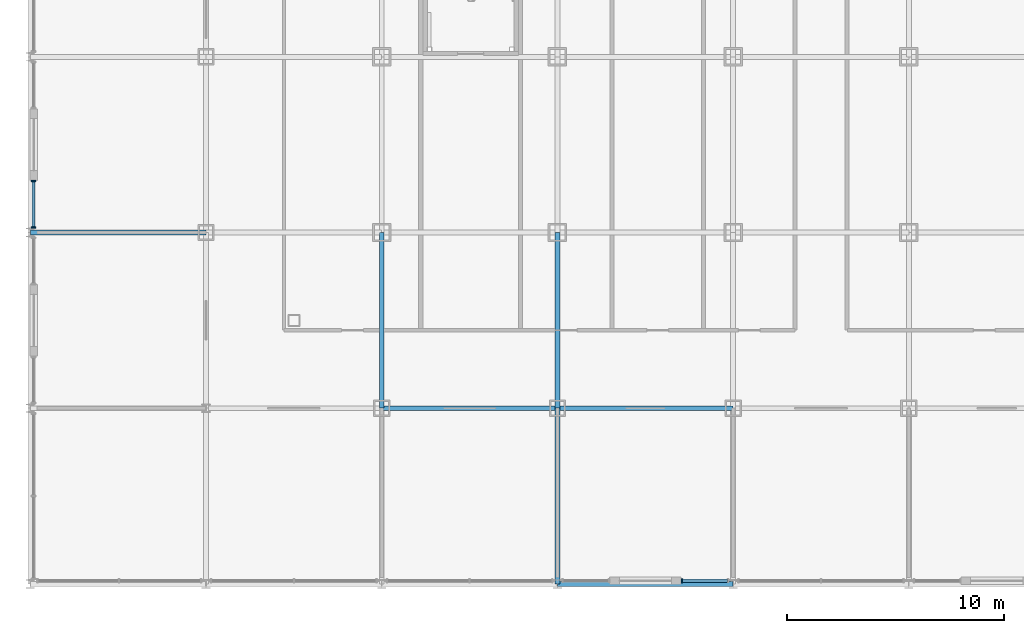
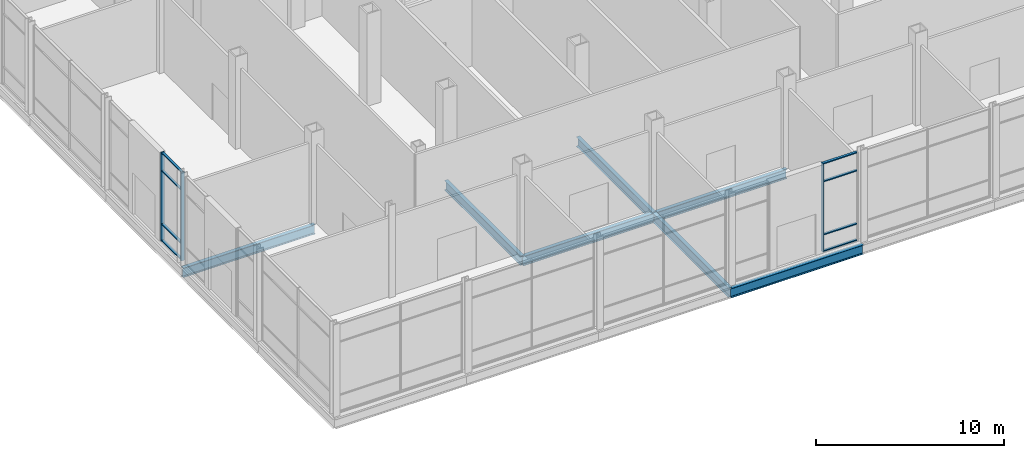
# One storey, part 10 of 35: 11 members, 7 beams, 2 elements without a shape of their own.
"""IFC4 building model written with IfcOpenShell, lengths in metres."""

from ifc_helpers import new_model, si_unit, direction, frame, origin, origin_2d, place, context, subcontext, project, spatial, rectangle, i_section, extrude, material, material_profile, profile_set, type_object, element, aggregate, save


model = new_model("IFC4")

# Units and contexts
model_context = context("Model", 3, precision=1e-05, world=origin(), true_north=direction((0.0, 1.0)))
body_context = subcontext(model_context, "Body", "Model", "MODEL_VIEW")
ifc_project = project(units=[si_unit("LENGTHUNIT", "METRE"), si_unit("AREAUNIT", "SQUARE_METRE"), si_unit("VOLUMEUNIT", "CUBIC_METRE"), si_unit("PLANEANGLEUNIT", "RADIAN"), si_unit("MASSUNIT", "GRAM", prefix="KILO")], contexts=[model_context])

# Site, building, storey
site_placement = place(None, origin())
site = spatial("IfcSite", under=ifc_project, at=site_placement, CompositionType="ELEMENT")
building_placement = place(site_placement, origin())
building = spatial("IfcBuilding", under=site, at=building_placement, Name="Kopane Lantern Tower", CompositionType="ELEMENT")
storey_placement = place(building_placement, origin())
storey = spatial("IfcBuildingStorey", under=building, at=storey_placement, Name="L00", CompositionType="ELEMENT", Elevation=0.0)

# Beams
ifc_material_1 = material(Name="Steel S355JR", Category="steel")
ifc_material_profile_1 = material_profile(ifc_material_1, i_section(OverallWidth=0.22900390625, OverallDepth=0.6123046875, WebThickness=0.011962890625, FlangeThickness=0.01953125, FilletRadius=0.0126953125, at=origin_2d()), Name="UB 610x229x125")
ifc_profile_set_1 = profile_set([ifc_material_profile_1], Name="Steel S355JR")
beam_type = type_object("IfcBeamType", Name="GIRDER UB 610x229x125", PredefinedType="BEAM", material=ifc_profile_set_1)
for number, where, z_axis, x_axis, name in (
    (1, (-8.10009765625, 8.10009765625, -0.55615234375), (1.0, 0.0, 0.0), (0.0, 1.0, 0.0), "Girder L00"),
    (2, (8.10009765625, 0.0, -0.55615234375), (0.0, 1.0, 0.0), (-1.0, 0.0, 0.0), "Girder L00"),
):
    element("IfcBeam", number, at=place(storey_placement, frame(where, z_axis=z_axis, x_axis=x_axis)), inside=storey, type_object=beam_type, Name=name, PredefinedType="BEAM", context=body_context, shape_type="SweptSolid", body=[
        extrude(i_section(OverallWidth=0.22900390625, OverallDepth=0.6123046875, WebThickness=0.011962890625, FlangeThickness=0.01953125, FilletRadius=0.0126953125, at=origin_2d()), origin(), (0.0, 0.0, 1.0), 8.10009765625),
    ])
beam_placement = place(storey_placement, frame((8.10009765625, 0.0, -0.55615234375), z_axis=(1.0, 0.0, 0.0), x_axis=(0.0, 1.0, 0.0)))
element("IfcBeam", 3, at=beam_placement, inside=storey, type_object=beam_type, Name="Girder L00", PredefinedType="BEAM", context=body_context, shape_type="SweptSolid", body=[
    extrude(i_section(OverallWidth=0.22900390625, OverallDepth=0.6123046875, WebThickness=0.011962890625, FlangeThickness=0.01953125, FilletRadius=0.0126953125, at=origin_2d()), origin(), (0.0, 0.0, 1.0), 8.099853515625),
])
for number, where, z_axis, x_axis, name in (
    (4, (16.199951171875, -8.10009765625, -0.55615234375), (0.0, 1.0, 0.0), (-1.0, 0.0, 0.0), "Girder L00"),
    (5, (16.199951171875, -8.10009765625, -0.55615234375), (1.0, 0.0, 0.0), (0.0, 1.0, 0.0), "Girder L00"),
    (6, (16.199951171875, 0.0, -0.55615234375), (0.0, 1.0, 0.0), (-1.0, 0.0, 0.0), "Girder L00"),
    (7, (16.199951171875, 0.0, -0.55615234375), (1.0, 0.0, 0.0), (0.0, 1.0, 0.0), "Girder L00"),
):
    element("IfcBeam", number, at=place(storey_placement, frame(where, z_axis=z_axis, x_axis=x_axis)), inside=storey, type_object=beam_type, Name=name, PredefinedType="BEAM", context=body_context, shape_type="SweptSolid", body=[
        extrude(i_section(OverallWidth=0.22900390625, OverallDepth=0.6123046875, WebThickness=0.011962890625, FlangeThickness=0.01953125, FilletRadius=0.0126953125, at=origin_2d()), origin(), (0.0, 0.0, 1.0), 8.10009765625),
    ])

# Curtain wall, member
ifc_material_2 = material(Name="Aluminium and clear glass", Category="aluminium")
curtain_wall_type = type_object("IfcCurtainWallType", Name="CURTAIN WALL CW1 PODIUM STOREFRONT", PredefinedType="USERDEFINED", material=ifc_material_2)
curtain_wall_1_placement = place(storey_placement, origin())
curtain_wall_1 = element("IfcCurtainWall", 8, at=curtain_wall_1_placement, inside=storey, type_object=curtain_wall_type, Name="Curtain wall CW1 S L00", ObjectType="CURTAIN WALL", PredefinedType="USERDEFINED")
ifc_material_3 = material(Name="Aluminium", Category="aluminium")
ifc_material_profile_2 = material_profile(ifc_material_3, rectangle(XDim=0.06494140625, YDim=0.199951171875, at=origin_2d()), Name="AL 65x200")
ifc_profile_set_2 = profile_set([ifc_material_profile_2], Name="Aluminium")
member_type_1 = type_object("IfcMemberType", Name="MULLION CW1-M 65x200", PredefinedType="MULLION", material=ifc_profile_set_2)
member_1_placement = place(storey_placement, frame((21.9326171875, -7.949951171875, 0.0), z_axis=(0.0, 0.0, 1.0), x_axis=(1.0, 0.0, 0.0)))
member_1 = element("IfcMember", 9, at=member_1_placement, type_object=member_type_1, Name="CW1 mullion 1", PredefinedType="MULLION", context=body_context, shape_type="SweptSolid", body=[
    extrude(rectangle(XDim=0.06494140625, YDim=0.199951171875, at=origin_2d()), origin(), (0.0, 0.0, 1.0), 5.75),
])

# Curtain wall, members
curtain_wall_2_placement = place(storey_placement, origin())
curtain_wall_2 = element("IfcCurtainWall", 10, at=curtain_wall_2_placement, inside=storey, type_object=curtain_wall_type, Name="Curtain wall CW1 W L00", ObjectType="CURTAIN WALL", PredefinedType="USERDEFINED")
member_2_placement = place(storey_placement, frame((-7.949951171875, 10.467529296875, 0.0), z_axis=(0.0, 0.0, 1.0), x_axis=(0.0, -1.0, 0.0)))
member_2 = element("IfcMember", 11, at=member_2_placement, type_object=member_type_1, Name="CW1 mullion 1", PredefinedType="MULLION", context=body_context, shape_type="SweptSolid", body=[
    extrude(rectangle(XDim=0.06494140625, YDim=0.199951171875, at=origin_2d()), origin(), (0.0, 0.0, 1.0), 5.75),
])
member_3_placement = place(storey_placement, frame((-7.949951171875, 8.3408203125, 0.0), z_axis=(0.0, 0.0, 1.0), x_axis=(0.0, -1.0, 0.0)))
member_3 = element("IfcMember", 12, at=member_3_placement, type_object=member_type_1, Name="CW1 mullion 2", PredefinedType="MULLION", context=body_context, shape_type="SweptSolid", body=[
    extrude(rectangle(XDim=0.06494140625, YDim=0.199951171875, at=origin_2d()), origin(), (0.0, 0.0, 1.0), 5.75),
])

# Member
ifc_material_4 = material(Name="Aluminium", Category="aluminium")
ifc_material_profile_3 = material_profile(ifc_material_4, rectangle(XDim=0.14990234375, YDim=0.06494140625, at=origin_2d()), Name="AL 150x65")
ifc_profile_set_3 = profile_set([ifc_material_profile_3], Name="Aluminium")
member_type_2 = type_object("IfcMemberType", Name="TRANSOM CW1-T 65x150", PredefinedType="USERDEFINED", material=ifc_profile_set_3)
member_4_placement = place(storey_placement, frame((21.965087890625, -7.949951171875, 0.032470703125), z_axis=(1.0, 0.0, 0.0), x_axis=(0.0, 1.0, 0.0)))
member_4 = element("IfcMember", 13, at=member_4_placement, type_object=member_type_2, Name="CW1 transom 1.1", ObjectType="TRANSOM", PredefinedType="USERDEFINED", context=body_context, shape_type="SweptSolid", body=[
    extrude(rectangle(XDim=0.14990234375, YDim=0.06494140625, at=origin_2d()), origin(), (0.0, 0.0, 1.0), 2.0634765625),
])

member_5_placement = place(storey_placement, frame((21.965087890625, -7.949951171875, 1.10009765625), z_axis=(1.0, 0.0, 0.0), x_axis=(0.0, 1.0, 0.0)))
member_5 = element("IfcMember", 14, at=member_5_placement, type_object=member_type_2, Name="CW1 transom 1.2", ObjectType="TRANSOM", PredefinedType="USERDEFINED", context=body_context, shape_type="SweptSolid", body=[
    extrude(rectangle(XDim=0.14990234375, YDim=0.06494140625, at=origin_2d()), origin(), (0.0, 0.0, 1.0), 2.0634765625),
])

member_6_placement = place(storey_placement, frame((21.965087890625, -7.949951171875, 4.550048828125), z_axis=(1.0, 0.0, 0.0), x_axis=(0.0, 1.0, 0.0)))
member_6 = element("IfcMember", 15, at=member_6_placement, type_object=member_type_2, Name="CW1 transom 1.3", ObjectType="TRANSOM", PredefinedType="USERDEFINED", context=body_context, shape_type="SweptSolid", body=[
    extrude(rectangle(XDim=0.14990234375, YDim=0.06494140625, at=origin_2d()), origin(), (0.0, 0.0, 1.0), 2.0634765625),
])

member_7_placement = place(storey_placement, frame((21.965087890625, -7.949951171875, 5.717529296875), z_axis=(1.0, 0.0, 0.0), x_axis=(0.0, 1.0, 0.0)))
member_7 = element("IfcMember", 16, at=member_7_placement, type_object=member_type_2, Name="CW1 transom 1.4", ObjectType="TRANSOM", PredefinedType="USERDEFINED", context=body_context, shape_type="SweptSolid", body=[
    extrude(rectangle(XDim=0.14990234375, YDim=0.06494140625, at=origin_2d()), origin(), (0.0, 0.0, 1.0), 2.0634765625),
])

aggregate(curtain_wall_1, [member_1, member_4, member_5, member_6, member_7])

member_8_placement = place(storey_placement, frame((-7.949951171875, 10.43505859375, 0.032470703125), z_axis=(0.0, -1.0, 0.0), x_axis=(1.0, 0.0, 0.0)))
member_8 = element("IfcMember", 17, at=member_8_placement, type_object=member_type_2, Name="CW1 transom 1.1", ObjectType="TRANSOM", PredefinedType="USERDEFINED", context=body_context, shape_type="SweptSolid", body=[
    extrude(rectangle(XDim=0.14990234375, YDim=0.06494140625, at=origin_2d()), origin(), (0.0, 0.0, 1.0), 2.061767578125),
])

member_9_placement = place(storey_placement, frame((-7.949951171875, 10.43505859375, 1.10009765625), z_axis=(0.0, -1.0, 0.0), x_axis=(1.0, 0.0, 0.0)))
member_9 = element("IfcMember", 18, at=member_9_placement, type_object=member_type_2, Name="CW1 transom 1.2", ObjectType="TRANSOM", PredefinedType="USERDEFINED", context=body_context, shape_type="SweptSolid", body=[
    extrude(rectangle(XDim=0.14990234375, YDim=0.06494140625, at=origin_2d()), origin(), (0.0, 0.0, 1.0), 2.061767578125),
])

member_10_placement = place(storey_placement, frame((-7.949951171875, 10.43505859375, 4.550048828125), z_axis=(0.0, -1.0, 0.0), x_axis=(1.0, 0.0, 0.0)))
member_10 = element("IfcMember", 19, at=member_10_placement, type_object=member_type_2, Name="CW1 transom 1.3", ObjectType="TRANSOM", PredefinedType="USERDEFINED", context=body_context, shape_type="SweptSolid", body=[
    extrude(rectangle(XDim=0.14990234375, YDim=0.06494140625, at=origin_2d()), origin(), (0.0, 0.0, 1.0), 2.061767578125),
])

member_11_placement = place(storey_placement, frame((-7.949951171875, 10.43505859375, 5.717529296875), z_axis=(0.0, -1.0, 0.0), x_axis=(1.0, 0.0, 0.0)))
member_11 = element("IfcMember", 20, at=member_11_placement, type_object=member_type_2, Name="CW1 transom 1.4", ObjectType="TRANSOM", PredefinedType="USERDEFINED", context=body_context, shape_type="SweptSolid", body=[
    extrude(rectangle(XDim=0.14990234375, YDim=0.06494140625, at=origin_2d()), origin(), (0.0, 0.0, 1.0), 2.061767578125),
])

aggregate(curtain_wall_2, [member_2, member_3, member_8, member_9, member_10, member_11])

save(model, "model.ifc")
